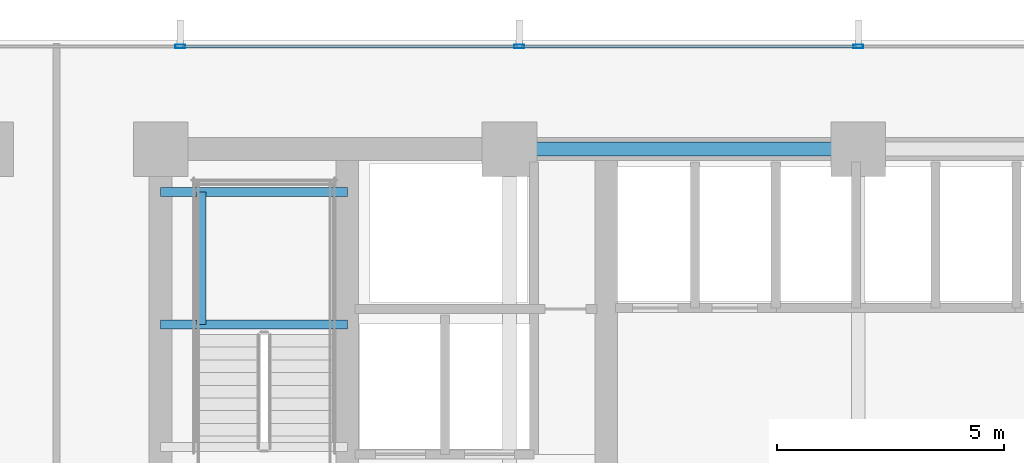
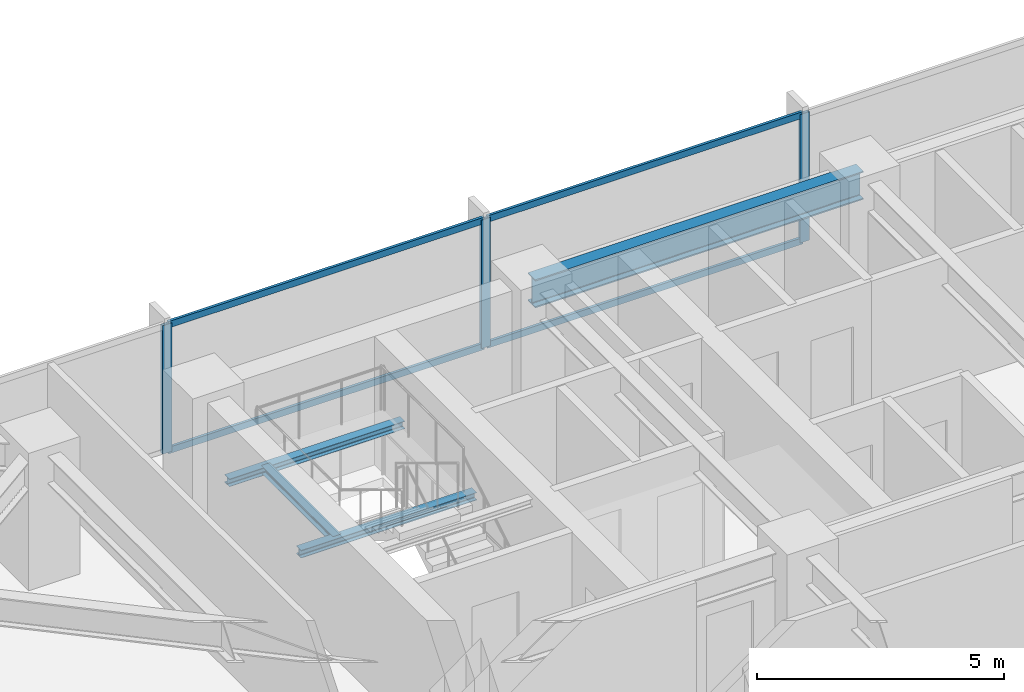
# One storey, part 18 of 33: 7 members, 4 beams, 1 element without a shape of its own.
"""IFC4 building model written with IfcOpenShell, lengths in metres."""

from ifc_helpers import new_model, si_unit, direction, frame, origin, origin_2d, place, context, subcontext, project, spatial, hollow_rectangle, i_section, extrude, material, material_profile, profile_set, type_object, element, aggregate, save


model = new_model("IFC4")

# Units and contexts
model_context = context("Model", 3, precision=1e-05, world=origin(), true_north=direction((0.0, 1.0)))
body_context = subcontext(model_context, "Body", "Model", "MODEL_VIEW")
ifc_project = project(units=[si_unit("LENGTHUNIT", "METRE"), si_unit("AREAUNIT", "SQUARE_METRE"), si_unit("VOLUMEUNIT", "CUBIC_METRE"), si_unit("PLANEANGLEUNIT", "RADIAN"), si_unit("MASSUNIT", "GRAM", prefix="KILO")], contexts=[model_context])

# Site, building, storey
site_placement = place(None, origin())
site = spatial("IfcSite", under=ifc_project, at=site_placement, CompositionType="ELEMENT")
building_placement = place(site_placement, origin())
building = spatial("IfcBuilding", under=site, at=building_placement, Name="Yelkora Congress Tower", CompositionType="ELEMENT")
storey_placement = place(building_placement, frame((0.0, 0.0, 71.199951171875)))
storey = spatial("IfcBuildingStorey", under=building, at=storey_placement, Name="L18", CompositionType="ELEMENT", Elevation=71.199951171875)

# Beams
ifc_material_1 = material(Name="Steel S355J2", Category="steel")
ifc_material_profile_1 = material_profile(ifc_material_1, i_section(OverallWidth=0.300048828125, OverallDepth=0.699951171875, WebThickness=0.01708984375, FlangeThickness=0.031982421875, FilletRadius=0.027099609375, at=origin_2d()), Name="HEB 700")
ifc_profile_set_1 = profile_set([ifc_material_profile_1], Name="Steel S355J2")
beam_type_1 = type_object("IfcBeamType", Name="BM-GIRD-HEB700", PredefinedType="BEAM", material=ifc_profile_set_1)
beam_1_placement = place(storey_placement, frame((30.719970703125, 46.199951171875, 2.830078125), z_axis=(1.0, 0.0, 0.0), x_axis=(0.0, 1.0, 0.0)))
element("IfcBeam", 1, at=beam_1_placement, inside=storey, type_object=beam_type_1, Name="L18 Core North Girder 3", PredefinedType="BEAM", context=body_context, shape_type="SweptSolid", body=[
    extrude(i_section(OverallWidth=0.300048828125, OverallDepth=0.699951171875, WebThickness=0.01708984375, FlangeThickness=0.031982421875, FilletRadius=0.027099609375, at=origin_2d()), origin(), (0.0, 0.0, 1.0), 7.679931640625),
])
ifc_material_profile_2 = material_profile(ifc_material_1, i_section(OverallWidth=0.199951171875, OverallDepth=0.18994140625, WebThickness=0.006591796875, FlangeThickness=0.010009765625, FilletRadius=0.01806640625, at=origin_2d()), Name="HEA 200")
ifc_profile_set_2 = profile_set([ifc_material_profile_2], Name="Steel S355J2")
beam_type_2 = type_object("IfcBeamType", Name="BM-LAND-HEA200", PredefinedType="BEAM", material=ifc_profile_set_2)
for number, where, z_axis, x_axis, name in (
    (2, (23.0400390625, 42.340087890625, 1.384765625), (1.0, 0.0, 0.0), (0.0, 1.0, 0.0), "ST-01 L18 Landing Header Beam 1S"),
    (3, (23.0400390625, 45.25, 1.384765625), (1.0, 0.0, 0.0), (0.0, 1.0, 0.0), "ST-01 L18 Landing Header Beam 1N"),
):
    element("IfcBeam", number, at=place(storey_placement, frame(where, z_axis=z_axis, x_axis=x_axis)), inside=storey, type_object=beam_type_2, Name=name, PredefinedType="BEAM", context=body_context, shape_type="SweptSolid", body=[
        extrude(i_section(OverallWidth=0.199951171875, OverallDepth=0.18994140625, WebThickness=0.006591796875, FlangeThickness=0.010009765625, FilletRadius=0.01806640625, at=origin_2d()), origin(), (0.0, 0.0, 1.0), 4.10986328125),
    ])
beam_2_placement = place(storey_placement, frame((23.93994140625, 42.340087890625, 1.384765625), z_axis=(0.0, 1.0, 0.0), x_axis=(-1.0, 0.0, 0.0)))
element("IfcBeam", 4, at=beam_2_placement, inside=storey, type_object=beam_type_2, Name="ST-01 L18 Landing Trimmer Beam 1M", PredefinedType="BEAM", context=body_context, shape_type="SweptSolid", body=[
    extrude(i_section(OverallWidth=0.199951171875, OverallDepth=0.18994140625, WebThickness=0.006591796875, FlangeThickness=0.010009765625, FilletRadius=0.01806640625, at=origin_2d()), origin(), (0.0, 0.0, 1.0), 2.909912109375),
])

# Curtain wall, members
ifc_material_2 = material(Name="Anodised aluminium and insulated glass", Category="aluminium")
curtain_wall_type = type_object("IfcCurtainWallType", Name="CW-SYS-B1", PredefinedType="NOTDEFINED", material=ifc_material_2)
curtain_wall_placement = place(storey_placement, origin())
curtain_wall = element("IfcCurtainWall", 5, at=curtain_wall_placement, inside=storey, type_object=curtain_wall_type, Name="L18 Unitised Curtain Wall 10", PredefinedType="NOTDEFINED")
ifc_material_3 = material(Name="Anodised aluminium 6063-T6", Category="aluminium")
ifc_material_profile_3 = material_profile(ifc_material_3, hollow_rectangle(XDim=0.074951171875, YDim=0.219970703125, WallThickness=0.0048828125, at=origin_2d()), Name="ALU 75x220x5")
ifc_profile_set_3 = profile_set([ifc_material_profile_3], Name="Anodised aluminium 6063-T6")
member_type_1 = type_object("IfcMemberType", Name="MEM-ML-B1", PredefinedType="MULLION", material=ifc_profile_set_3)
member_1_placement = place(storey_placement, frame((23.469970703125, 48.4599609375, 0.0), z_axis=(0.0, 0.0, 1.0), x_axis=(0.0, 1.0, 0.0)))
member_1 = element("IfcMember", 6, at=member_1_placement, type_object=member_type_1, Name="CW-B1 mullion 3", PredefinedType="MULLION", context=body_context, shape_type="SweptSolid", body=[
    extrude(hollow_rectangle(XDim=0.074951171875, YDim=0.219970703125, WallThickness=0.0048828125, at=origin_2d()), origin(), (0.0, 0.0, 1.0), 3.179931640625),
])
member_2_placement = place(storey_placement, frame((30.93505859375, 48.4599609375, 0.0), z_axis=(0.0, 0.0, 1.0), x_axis=(0.0, 1.0, 0.0)))
member_2 = element("IfcMember", 7, at=member_2_placement, type_object=member_type_1, Name="CW-B1 mullion 4", PredefinedType="MULLION", context=body_context, shape_type="SweptSolid", body=[
    extrude(hollow_rectangle(XDim=0.074951171875, YDim=0.219970703125, WallThickness=0.0048828125, at=origin_2d()), origin(), (0.0, 0.0, 1.0), 3.179931640625),
])
member_3_placement = place(storey_placement, frame((38.39990234375, 48.4599609375, 0.0), z_axis=(0.0, 0.0, 1.0), x_axis=(0.0, 1.0, 0.0)))
member_3 = element("IfcMember", 8, at=member_3_placement, type_object=member_type_1, Name="CW-B1 mullion 5", PredefinedType="MULLION", context=body_context, shape_type="SweptSolid", body=[
    extrude(hollow_rectangle(XDim=0.074951171875, YDim=0.219970703125, WallThickness=0.0048828125, at=origin_2d()), origin(), (0.0, 0.0, 1.0), 3.179931640625),
])
ifc_material_profile_4 = material_profile(ifc_material_3, hollow_rectangle(XDim=0.06494140625, YDim=0.159912109375, WallThickness=0.00390625, at=origin_2d()), Name="ALU 65x160x4")
ifc_profile_set_4 = profile_set([ifc_material_profile_4], Name="Anodised aluminium 6063-T6")
member_type_2 = type_object("IfcMemberType", Name="MEM-TR-B1", PredefinedType="USERDEFINED", material=ifc_profile_set_4)
member_4_placement = place(storey_placement, frame((23.507568359375, 48.4599609375, 0.032470703125), z_axis=(1.0, 0.0, 0.0), x_axis=(0.0, 1.0, 0.0)))
member_4 = element("IfcMember", 9, at=member_4_placement, type_object=member_type_2, Name="CW-B1 transom 3.1", ObjectType="TRANSOM", PredefinedType="USERDEFINED", context=body_context, shape_type="SweptSolid", body=[
    extrude(hollow_rectangle(XDim=0.06494140625, YDim=0.159912109375, WallThickness=0.00390625, at=origin_2d()), origin(), (0.0, 0.0, 1.0), 7.389892578125),
])
member_5_placement = place(storey_placement, frame((23.507568359375, 48.4599609375, 3.1474609375), z_axis=(1.0, 0.0, 0.0), x_axis=(0.0, 1.0, 0.0)))
member_5 = element("IfcMember", 10, at=member_5_placement, type_object=member_type_2, Name="CW-B1 transom 3.2", ObjectType="TRANSOM", PredefinedType="USERDEFINED", context=body_context, shape_type="SweptSolid", body=[
    extrude(hollow_rectangle(XDim=0.06494140625, YDim=0.159912109375, WallThickness=0.00390625, at=origin_2d()), origin(), (0.0, 0.0, 1.0), 7.389892578125),
])
member_6_placement = place(storey_placement, frame((30.972412109375, 48.4599609375, 0.032470703125), z_axis=(1.0, 0.0, 0.0), x_axis=(0.0, 1.0, 0.0)))
member_6 = element("IfcMember", 11, at=member_6_placement, type_object=member_type_2, Name="CW-B1 transom 4.1", ObjectType="TRANSOM", PredefinedType="USERDEFINED", context=body_context, shape_type="SweptSolid", body=[
    extrude(hollow_rectangle(XDim=0.06494140625, YDim=0.159912109375, WallThickness=0.00390625, at=origin_2d()), origin(), (0.0, 0.0, 1.0), 7.39013671875),
])
member_7_placement = place(storey_placement, frame((30.972412109375, 48.4599609375, 3.1474609375), z_axis=(1.0, 0.0, 0.0), x_axis=(0.0, 1.0, 0.0)))
member_7 = element("IfcMember", 12, at=member_7_placement, type_object=member_type_2, Name="CW-B1 transom 4.2", ObjectType="TRANSOM", PredefinedType="USERDEFINED", context=body_context, shape_type="SweptSolid", body=[
    extrude(hollow_rectangle(XDim=0.06494140625, YDim=0.159912109375, WallThickness=0.00390625, at=origin_2d()), origin(), (0.0, 0.0, 1.0), 7.39013671875),
])
aggregate(curtain_wall, [member_1, member_2, member_3, member_4, member_5, member_6, member_7])

save(model, "model.ifc")
